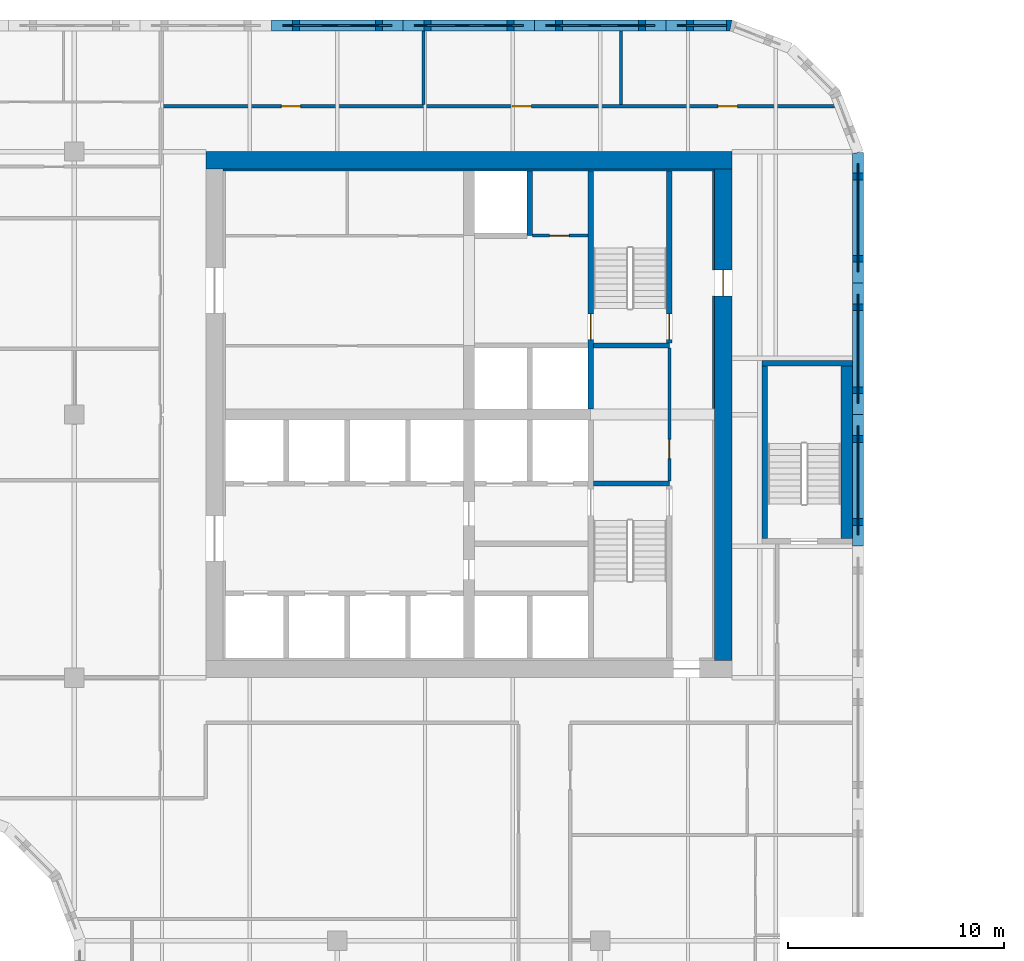
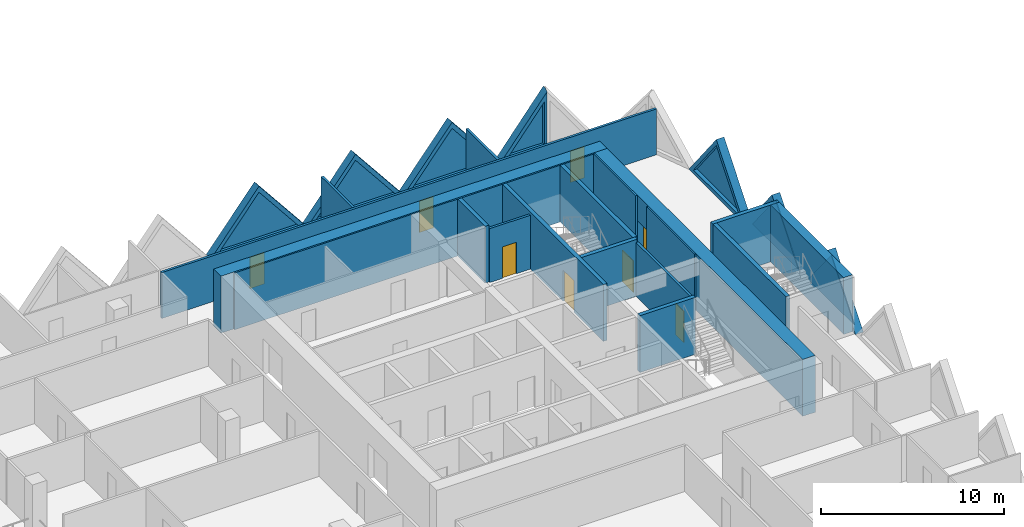
# One storey, part 10 of 19: 25 walls, 8 doors, 7 plates, 15 openings.
"""IFC4 building model written with IfcOpenShell, lengths in metres."""

from ifc_helpers import new_model, si_unit, direction, frame, frame_2d, origin, place, context, subcontext, project, spatial, polyline, rectangle, outline, extrude, faceted_brep, source, transform, mapped, material, layer, layer_set, type_object, element, fill, save


model = new_model("IFC4")

# Units and contexts
model_context = context("Model", 3, precision=1e-05, world=origin(), true_north=direction((0.0, 1.0)))
body_context = subcontext(model_context, "Body", "Model", "MODEL_VIEW")
ifc_project = project(units=[si_unit("LENGTHUNIT", "METRE"), si_unit("AREAUNIT", "SQUARE_METRE"), si_unit("VOLUMEUNIT", "CUBIC_METRE"), si_unit("PLANEANGLEUNIT", "RADIAN"), si_unit("MASSUNIT", "GRAM", prefix="KILO")], contexts=[model_context])

# Site, building, storey
site_placement = place(None, origin())
site = spatial("IfcSite", under=ifc_project, at=site_placement, CompositionType="ELEMENT")
building_placement = place(site_placement, origin())
building = spatial("IfcBuilding", under=site, at=building_placement, Name="Tessera Gate Towers", CompositionType="ELEMENT")
storey_placement = place(building_placement, frame((0.0, 0.0, 68.60009765625)))
storey = spatial("IfcBuildingStorey", under=building, at=storey_placement, Name="L16", CompositionType="ELEMENT", Elevation=68.60009765625)

# Wall, opening, door
ifc_material_1 = material(Name="Concrete C40/50", Category="concrete")
ifc_layer_1 = layer(ifc_material_1, 0.25)
ifc_layer_set_1 = layer_set([ifc_layer_1], Name="CORE ENCLOSURE WALL 250")
wall_type_1 = type_object("IfcWallType", Name="CORE ENCLOSURE WALL 250", PredefinedType="SOLIDWALL", material=ifc_layer_set_1)
wall_1_placement = place(storey_placement, frame((48.35009765625, 47.89990234375, 0.0), z_axis=(0.0, 0.0, 1.0), x_axis=(0.0, -1.0, 0.0)))
wall_1 = element("IfcWall", 1, at=wall_1_placement, inside=storey, type_object=wall_type_1, Name="L16 shaft and stair enclosure wall", PredefinedType="SOLIDWALL", context=body_context, shape_type="SweptSolid", body=[
    extrude(rectangle(XDim=11.0498046875, YDim=0.25, at=frame_2d((5.52490234375, 0.0))), origin(), (0.0, 0.0, 1.0), 3.7998046875),
])
shared_shape_1 = source(origin(), body_context, "Body", "SweptSolid", [
    extrude(rectangle(XDim=1.199951171875, YDim=2.10009765625, at=frame_2d((0.60009765625, 1.050048828125))), frame((0.0, 0.135009765625, 0.0), z_axis=(0.0, -1.0, 0.0), x_axis=(1.0, 0.0, 0.0)), (0.0, 0.0, 1.0), 0.27001953125),
])
opening_1_placement = place(wall_1_placement, frame((6.625, 0.0, 0.0)))
opening_1 = element("IfcOpeningElement", 2, at=opening_1_placement, cuts=wall_1, Name="Opening SD-ST2-1", PredefinedType="OPENING", context=body_context, shape_type="MappedRepresentation", body=[
    mapped(shared_shape_1, transform((0.0, 0.0, 0.0), scale=1.0)),
])
ifc_material_2 = material(Name="Hollow steel fire door", Category="steel")
door_type_1 = type_object("IfcDoorType", Name="CORE DOOR SD 1200x2100", OperationType="NOTDEFINED", PredefinedType="DOOR", material=ifc_material_2)
shared_shape_2 = source(origin(), body_context, "Body", "SweptSolid", [
    extrude(rectangle(XDim=1.199951171875, YDim=2.10009765625, at=frame_2d((0.60009765625, 1.050048828125))), frame((0.0, 0.02490234375, 0.0), z_axis=(0.0, -1.0, 0.0), x_axis=(1.0, 0.0, 0.0)), (0.0, 0.0, 1.0), 0.050048828125),
])
door_1_placement = place(opening_1_placement, origin())
door_1 = element("IfcDoor", 3, at=door_1_placement, inside=storey, type_object=door_type_1, Name="Stair door", OperationType="SINGLE_SWING_RIGHT", OverallHeight=2.10009765625, OverallWidth=1.199951171875, PredefinedType="DOOR", context=body_context, shape_type="MappedRepresentation", body=[
    mapped(shared_shape_2, transform((0.0, 0.0, 0.0), scale=1.0)),
])
fill(opening_1, door_1)

# Walls
for number, where, z_axis, x_axis, name in (
    (4, (48.47509765625, 33.39990234375, 0.0), (0.0, 0.0, 1.0), (1.0, 0.0, 0.0), "L16 shaft and stair enclosure wall"),
    (5, (48.47509765625, 39.800048828125, 0.0), (0.0, 0.0, 1.0), (1.0, 0.0, 0.0), "L16 shaft and stair enclosure wall"),
):
    element("IfcWall", number, at=place(storey_placement, frame(where, z_axis=z_axis, x_axis=x_axis)), inside=storey, type_object=wall_type_1, Name=name, PredefinedType="SOLIDWALL", context=body_context, shape_type="SweptSolid", body=[
        extrude(rectangle(XDim=3.52490234375, YDim=0.25, at=frame_2d((1.762451171875, 0.0))), origin(), (0.0, 0.0, 1.0), 3.7998046875),
    ])

# Wall, opening, door
wall_2_placement = place(storey_placement, frame((52.0, 39.925048828125, 0.0), z_axis=(0.0, 0.0, 1.0), x_axis=(0.0, 1.0, 0.0)))
wall_2 = element("IfcWall", 6, at=wall_2_placement, inside=storey, type_object=wall_type_1, Name="L16 shaft and stair enclosure wall", PredefinedType="SOLIDWALL", context=body_context, shape_type="SweptSolid", body=[
    extrude(rectangle(XDim=7.974853515625, YDim=0.25, at=frame_2d((3.9873046875, 0.0))), origin(), (0.0, 0.0, 1.0), 3.7998046875),
])
opening_2_placement = place(wall_2_placement, frame((0.14990234375, 0.0, 0.0)))
opening_2 = element("IfcOpeningElement", 7, at=opening_2_placement, cuts=wall_2, Name="Opening SD-ST2-2", PredefinedType="OPENING", context=body_context, shape_type="MappedRepresentation", body=[
    mapped(shared_shape_1, transform((0.0, 0.0, 0.0), scale=1.0)),
])
door_2_placement = place(opening_2_placement, origin())
door_2 = element("IfcDoor", 8, at=door_2_placement, inside=storey, type_object=door_type_1, Name="Stair door", OperationType="SINGLE_SWING_LEFT", OverallHeight=2.10009765625, OverallWidth=1.199951171875, PredefinedType="DOOR", context=body_context, shape_type="MappedRepresentation", body=[
    mapped(shared_shape_2, transform((0.0, 0.0, 0.0), scale=1.0)),
])
fill(opening_2, door_2)

# Walls
wall_3_placement = place(storey_placement, frame((45.52490234375, 44.89990234375, 0.0), z_axis=(0.0, 0.0, 1.0), x_axis=(0.0, 1.0, 0.0)))
element("IfcWall", 9, at=wall_3_placement, inside=storey, type_object=wall_type_1, Name="L16 shaft and stair enclosure wall", PredefinedType="SOLIDWALL", context=body_context, shape_type="SweptSolid", body=[
    extrude(rectangle(XDim=3.0, YDim=0.25, at=frame_2d((1.5, 0.0))), origin(), (0.0, 0.0, 1.0), 3.7998046875),
])
wall_4_placement = place(storey_placement, frame((56.425048828125, 30.85009765625, 0.0), z_axis=(0.0, 0.0, 1.0), x_axis=(0.0, 1.0, 0.0)))
element("IfcWall", 10, at=wall_4_placement, inside=storey, type_object=wall_type_1, Name="L16 ST5 enclosure wall", PredefinedType="SOLIDWALL", context=body_context, shape_type="SweptSolid", body=[
    extrude(rectangle(XDim=8.0, YDim=0.25, at=frame_2d((4.0, 0.0))), origin(), (0.0, 0.0, 1.0), 3.7998046875),
])
wall_5_placement = place(storey_placement, frame((56.300048828125, 38.97509765625, 0.0), z_axis=(0.0, 0.0, 1.0), x_axis=(1.0, 0.0, 0.0)))
element("IfcWall", 11, at=wall_5_placement, inside=storey, type_object=wall_type_1, Name="L16 ST5 enclosure wall", PredefinedType="SOLIDWALL", context=body_context, shape_type="SweptSolid", body=[
    extrude(rectangle(XDim=4.199951171875, YDim=0.25, at=frame_2d((2.10009765625, 0.0))), origin(), (0.0, 0.0, 1.0), 3.7998046875),
])
ifc_material_3 = material(Name="Concrete C40/50", Category="concrete")
ifc_layer_2 = layer(ifc_material_3, 0.550048828125)
ifc_layer_set_2 = layer_set([ifc_layer_2], Name="CORE ENCLOSURE WALL 550")
wall_type_2 = type_object("IfcWallType", Name="CORE ENCLOSURE WALL 550", PredefinedType="SOLIDWALL", material=ifc_layer_set_2)
wall_6_placement = place(storey_placement, frame((60.22509765625, 38.85009765625, 0.0), z_axis=(0.0, 0.0, 1.0), x_axis=(0.0, -1.0, 0.0)))
element("IfcWall", 12, at=wall_6_placement, inside=storey, type_object=wall_type_2, Name="L16 ST5 enclosure wall", PredefinedType="SOLIDWALL", context=body_context, shape_type="SweptSolid", body=[
    extrude(rectangle(XDim=8.0, YDim=0.550048828125, at=frame_2d((4.0, 0.0))), origin(), (0.0, 0.0, 1.0), 3.7998046875),
])
ifc_material_4 = material(Name="Concrete C60/75", Category="concrete")
ifc_layer_3 = layer(ifc_material_4, 0.800048828125)
ifc_layer_set_3 = layer_set([ifc_layer_3], Name="CORE SHEAR WALL 800 C60/75")
wall_type_3 = type_object("IfcWallType", Name="CORE SHEAR WALL 800 C60/75", PredefinedType="SHEAR", material=ifc_layer_set_3)
wall_7_placement = place(storey_placement, frame((30.5, 48.39990234375, 0.0), z_axis=(0.0, 0.0, 1.0), x_axis=(1.0, 0.0, 0.0)))
element("IfcWall", 13, at=wall_7_placement, inside=storey, type_object=wall_type_3, Name="Core wall N L16", PredefinedType="SHEAR", context=body_context, shape_type="SweptSolid", body=[
    extrude(rectangle(XDim=24.39990234375, YDim=0.800048828125, at=frame_2d((12.199951171875, 0.0))), origin(), (0.0, 0.0, 1.0), 3.7998046875),
])

# Wall, opening, door
wall_8_placement = place(storey_placement, frame((54.5, 48.0, 0.0), z_axis=(0.0, 0.0, 1.0), x_axis=(0.0, -1.0, 0.0)))
wall_8 = element("IfcWall", 14, at=wall_8_placement, inside=storey, type_object=wall_type_3, Name="Core wall E L16", PredefinedType="SHEAR", context=body_context, shape_type="SweptSolid", body=[
    extrude(rectangle(XDim=22.800048828125, YDim=0.800048828125, at=frame_2d((11.39990234375, 0.0))), origin(), (0.0, 0.0, 1.0), 3.7998046875),
])
shared_shape_3 = source(origin(), body_context, "Body", "SweptSolid", [
    extrude(rectangle(XDim=1.199951171875, YDim=2.10009765625, at=frame_2d((0.60009765625, 1.050048828125))), frame((0.0, 0.409912109375, 0.0), z_axis=(0.0, -1.0, 0.0), x_axis=(1.0, 0.0, 0.0)), (0.0, 0.0, 1.0), 0.820068359375),
])
opening_3_placement = place(wall_8_placement, frame((4.699951171875, 0.0, 0.0)))
opening_3 = element("IfcOpeningElement", 15, at=opening_3_placement, cuts=wall_8, Name="Opening ED-T1-12-04", PredefinedType="OPENING", context=body_context, shape_type="MappedRepresentation", body=[
    mapped(shared_shape_3, transform((0.0, 0.0, 0.0), scale=1.0)),
])
ifc_material_5 = material(Name="Hollow steel fire door", Category="steel")
door_type_2 = type_object("IfcDoorType", Name="CORE DOOR ED 1200x2100", OperationType="NOTDEFINED", PredefinedType="DOOR", material=ifc_material_5)
door_3_placement = place(opening_3_placement, origin())
door_3 = element("IfcDoor", 16, at=door_3_placement, inside=storey, type_object=door_type_2, Name="Core exit door", OperationType="SINGLE_SWING_LEFT", OverallHeight=2.10009765625, OverallWidth=1.199951171875, PredefinedType="DOOR", context=body_context, shape_type="MappedRepresentation", body=[
    mapped(shared_shape_2, transform((0.0, 0.0, 0.0), scale=1.0)),
])
fill(opening_3, door_3)

# Walls
ifc_material_6 = material(Name="Concrete C60/75", Category="concrete")
ifc_layer_4 = layer(ifc_material_6, 0.10009765625)
ifc_layer_set_4 = layer_set([ifc_layer_4], Name="CORE WALL THICKENING 100")
wall_type_4 = type_object("IfcWallType", Name="CORE WALL THICKENING 100", PredefinedType="SOLIDWALL", material=ifc_layer_set_4)
wall_9_placement = place(storey_placement, frame((31.300048828125, 47.949951171875, 0.0), z_axis=(0.0, 0.0, 1.0), x_axis=(1.0, 0.0, 0.0)))
element("IfcWall", 17, at=wall_9_placement, inside=storey, type_object=wall_type_4, Name="Core wall thickening N L16", PredefinedType="SOLIDWALL", context=body_context, shape_type="SweptSolid", body=[
    extrude(rectangle(XDim=22.800048828125, YDim=0.10009765625, at=frame_2d((11.39990234375, 0.0))), origin(), (0.0, 0.0, 1.0), 3.7998046875),
])
wall_10_placement = place(storey_placement, frame((54.050048828125, 36.8798828125, 0.0), z_axis=(0.0, 0.0, 1.0), x_axis=(0.0, 1.0, 0.0)))
element("IfcWall", 18, at=wall_10_placement, inside=storey, type_object=wall_type_4, Name="Core wall thickening E L16", PredefinedType="SOLIDWALL", context=body_context, shape_type="SweptSolid", body=[
    extrude(rectangle(XDim=5.22021484375, YDim=0.10009765625, at=frame_2d((2.610107421875, 0.0))), origin(), (0.0, 0.0, 1.0), 3.7998046875),
])
wall_11_placement = place(storey_placement, frame((54.050048828125, 43.300048828125, 0.0), z_axis=(0.0, 0.0, 1.0), x_axis=(0.0, 1.0, 0.0)))
element("IfcWall", 19, at=wall_11_placement, inside=storey, type_object=wall_type_4, Name="Core wall thickening E L16", PredefinedType="SOLIDWALL", context=body_context, shape_type="SweptSolid", body=[
    extrude(rectangle(XDim=4.599853515625, YDim=0.10009765625, at=frame_2d((2.2998046875, 0.0))), origin(), (0.0, 0.0, 1.0), 3.7998046875),
])

# Wall, openings, doors
ifc_material_7 = material(Name="Gypsum board on steel studs, mineral wool", Category="steel")
ifc_layer_5 = layer(ifc_material_7, 0.14990234375)
ifc_layer_set_5 = layer_set([ifc_layer_5], Name="CORRIDOR WALL 150")
wall_type_5 = type_object("IfcWallType", Name="CORRIDOR WALL 150", PredefinedType="PARTITIONING", material=ifc_layer_set_5)
wall_12_placement = place(storey_placement, frame((28.39990234375, 50.89990234375, 0.0), z_axis=(0.0, 0.0, 1.0), x_axis=(1.0, 0.0, 0.0)))
wall_12 = element("IfcWall", 20, at=wall_12_placement, inside=storey, type_object=wall_type_5, Name="T1-L16-PW-046", PredefinedType="PARTITIONING", context=body_context, shape_type="SweptSolid", body=[
    extrude(rectangle(XDim=31.254150390625, YDim=0.14990234375, at=frame_2d((15.626953125, 0.0))), origin(), (0.0, 0.0, 1.0), 3.06689453125),
])
shared_shape_4 = source(origin(), body_context, "Body", "SweptSolid", [
    extrude(rectangle(XDim=0.89990234375, YDim=2.10009765625, at=frame_2d((0.449951171875, 1.050048828125))), frame((0.0, 0.0849609375, 0.0), z_axis=(0.0, -1.0, 0.0), x_axis=(1.0, 0.0, 0.0)), (0.0, 0.0, 1.0), 0.169921875),
])
opening_4_placement = place(wall_12_placement, frame((16.301025390625, 0.0, 0.0)))
opening_4 = element("IfcOpeningElement", 21, at=opening_4_placement, cuts=wall_12, Name="Opening D890FD60-A06-08", PredefinedType="OPENING", context=body_context, shape_type="MappedRepresentation", body=[
    mapped(shared_shape_4, transform((0.0, 0.0, 0.0), scale=1.0)),
])
opening_5_placement = place(wall_12_placement, frame((25.85009765625, 0.0, 0.0)))
opening_5 = element("IfcOpeningElement", 22, at=opening_5_placement, cuts=wall_12, Name="Opening D890FD60-A06-10", PredefinedType="OPENING", context=body_context, shape_type="MappedRepresentation", body=[
    mapped(shared_shape_4, transform((0.0, 0.0, 0.0), scale=1.0)),
])
opening_6_placement = place(wall_12_placement, frame((5.60009765625, 0.0, 0.0)))
opening_6 = element("IfcOpeningElement", 23, at=opening_6_placement, cuts=wall_12, Name="Opening D890FD60-A06-11", PredefinedType="OPENING", context=body_context, shape_type="MappedRepresentation", body=[
    mapped(shared_shape_4, transform((0.0, 0.0, 0.0), scale=1.0)),
])
ifc_material_8 = material(Name="Timber door leaf in steel frame", Category="steel")
door_type_3 = type_object("IfcDoorType", Name="CORRIDOR DOOR 900 FD60", OperationType="NOTDEFINED", PredefinedType="DOOR", material=ifc_material_8)
shared_shape_5 = source(origin(), body_context, "Body", "SweptSolid", [
    extrude(rectangle(XDim=0.89990234375, YDim=2.10009765625, at=frame_2d((0.449951171875, 1.050048828125))), frame((0.0, 0.02490234375, 0.0), z_axis=(0.0, -1.0, 0.0), x_axis=(1.0, 0.0, 0.0)), (0.0, 0.0, 1.0), 0.050048828125),
])
door_4_placement = place(opening_4_placement, origin())
door_4 = element("IfcDoor", 24, at=door_4_placement, inside=storey, type_object=door_type_3, Name="T1-L16-PD-023", OperationType="SINGLE_SWING_LEFT", OverallHeight=2.10009765625, OverallWidth=0.89990234375, PredefinedType="DOOR", context=body_context, shape_type="MappedRepresentation", body=[
    mapped(shared_shape_5, transform((0.0, 0.0, 0.0), scale=1.0)),
])
fill(opening_4, door_4)
door_5_placement = place(opening_5_placement, origin())
door_5 = element("IfcDoor", 25, at=door_5_placement, inside=storey, type_object=door_type_3, Name="T1-L16-PD-025", OperationType="SINGLE_SWING_LEFT", OverallHeight=2.10009765625, OverallWidth=0.89990234375, PredefinedType="DOOR", context=body_context, shape_type="MappedRepresentation", body=[
    mapped(shared_shape_5, transform((0.0, 0.0, 0.0), scale=1.0)),
])
fill(opening_5, door_5)
door_6_placement = place(opening_6_placement, origin())
door_6 = element("IfcDoor", 26, at=door_6_placement, inside=storey, type_object=door_type_3, Name="T1-L16-PD-027", OperationType="SINGLE_SWING_LEFT", OverallHeight=2.10009765625, OverallWidth=0.89990234375, PredefinedType="DOOR", context=body_context, shape_type="MappedRepresentation", body=[
    mapped(shared_shape_5, transform((0.0, 0.0, 0.0), scale=1.0)),
])
fill(opening_6, door_6)

# Wall, opening, door
ifc_material_9 = material(Name="Gypsum board on steel studs", Category="steel")
ifc_layer_6 = layer(ifc_material_9, 0.14990234375)
ifc_layer_set_6 = layer_set([ifc_layer_6], Name="SERVICE ROOM WALL 150")
wall_type_6 = type_object("IfcWallType", Name="SERVICE ROOM WALL 150", PredefinedType="PARTITIONING", material=ifc_layer_set_6)
wall_13_placement = place(storey_placement, frame((52.0, 33.52490234375, 0.0), z_axis=(0.0, 0.0, 1.0), x_axis=(0.0, 1.0, 0.0)))
wall_13 = element("IfcWall", 27, at=wall_13_placement, inside=storey, type_object=wall_type_6, Name="L16 service room wall", PredefinedType="PARTITIONING", context=body_context, shape_type="SweptSolid", body=[
    extrude(rectangle(XDim=6.150146484375, YDim=0.14990234375, at=frame_2d((3.0751953125, 0.0))), origin(), (0.0, 0.0, 1.0), 3.599853515625),
])
opening_7_placement = place(wall_13_placement, frame((1.02490234375, 0.0, 0.0)))
opening_7 = element("IfcOpeningElement", 28, at=opening_7_placement, cuts=wall_13, Name="Opening RD-T1-12-10", PredefinedType="OPENING", context=body_context, shape_type="MappedRepresentation", body=[
    mapped(shared_shape_4, transform((0.0, 0.0, 0.0), scale=1.0)),
])
ifc_material_10 = material(Name="Hollow steel fire door", Category="steel")
door_type_4 = type_object("IfcDoorType", Name="CORE DOOR RD 900x2100", OperationType="NOTDEFINED", PredefinedType="DOOR", material=ifc_material_10)
door_7_placement = place(opening_7_placement, origin())
door_7 = element("IfcDoor", 29, at=door_7_placement, inside=storey, type_object=door_type_4, Name="Core room door", OperationType="SINGLE_SWING_LEFT", OverallHeight=2.10009765625, OverallWidth=0.89990234375, PredefinedType="DOOR", context=body_context, shape_type="MappedRepresentation", body=[
    mapped(shared_shape_5, transform((0.0, 0.0, 0.0), scale=1.0)),
])
fill(opening_7, door_7)

wall_14_placement = place(storey_placement, frame((45.64990234375, 44.89990234375, 0.0), z_axis=(0.0, 0.0, 1.0), x_axis=(1.0, 0.0, 0.0)))
wall_14 = element("IfcWall", 30, at=wall_14_placement, inside=storey, type_object=wall_type_6, Name="L16 service room wall", PredefinedType="PARTITIONING", context=body_context, shape_type="SweptSolid", body=[
    extrude(rectangle(XDim=2.5751953125, YDim=0.14990234375, at=frame_2d((1.28759765625, 0.0))), origin(), (0.0, 0.0, 1.0), 3.599853515625),
])
opening_8_placement = place(wall_14_placement, frame((0.800048828125, 0.0, 0.0)))
opening_8 = element("IfcOpeningElement", 31, at=opening_8_placement, cuts=wall_14, Name="Opening RD-T1-12-11", PredefinedType="OPENING", context=body_context, shape_type="MappedRepresentation", body=[
    mapped(shared_shape_4, transform((0.0, 0.0, 0.0), scale=1.0)),
])
door_8_placement = place(opening_8_placement, origin())
door_8 = element("IfcDoor", 32, at=door_8_placement, inside=storey, type_object=door_type_4, Name="Core room door", OperationType="SINGLE_SWING_LEFT", OverallHeight=2.10009765625, OverallWidth=0.89990234375, PredefinedType="DOOR", context=body_context, shape_type="MappedRepresentation", body=[
    mapped(shared_shape_5, transform((0.0, 0.0, 0.0), scale=1.0)),
])
fill(opening_8, door_8)

# Walls
ifc_material_11 = material(Name="Gypsum board on steel studs, mineral wool", Category="steel")
ifc_layer_7 = layer(ifc_material_11, 0.14990234375)
ifc_layer_set_7 = layer_set([ifc_layer_7], Name="TENANCY WALL 150")
wall_type_7 = type_object("IfcWallType", Name="TENANCY WALL 150", PredefinedType="PARTITIONING", material=ifc_layer_set_7)
for number, where, z_axis, x_axis, name in (
    (33, (40.60009765625, 50.97607421875, 0.0), (0.0, 0.0, 1.0), (0.0, 1.0, 0.0), "T1-L16-PW-047"),
    (34, (49.75, 50.97607421875, 0.0), (0.0, 0.0, 1.0), (0.0, 1.0, 0.0), "T1-L16-PW-048"),
):
    element("IfcWall", number, at=place(storey_placement, frame(where, z_axis=z_axis, x_axis=x_axis)), inside=storey, type_object=wall_type_7, Name=name, PredefinedType="PARTITIONING", context=body_context, shape_type="SweptSolid", body=[
        extrude(rectangle(XDim=3.423828125, YDim=0.14990234375, at=frame_2d((1.7119140625, 0.0))), origin(), (0.0, 0.0, 1.0), 3.06689453125),
    ])

# Wall, opening, plate
ifc_material_12 = material(Name="Precast concrete C60/75 white", Category="concrete")
ifc_layer_8 = layer(ifc_material_12, 0.5)
ifc_layer_set_8 = layer_set([ifc_layer_8], Name="TS3 corner tessera")
wall_type_8 = type_object("IfcWallType", Name="TS3 corner tessera", PredefinedType="SOLIDWALL", material=ifc_layer_set_8)
shared_shape_6 = source(origin(), body_context, "Body", "Brep", [
    faceted_brep([(3.050048828125, -0.25, 0.0), (0.046630859375, -0.25, 3.7998046875), (0.0, -0.25, 3.73974609375), (0.0, -0.25, 0.0), (0.09326171875, 0.25, 3.740966796875), (3.050048828125, 0.25, 0.0), (0.09326171875, 0.25, 0.0), (0.046630859375, 0.0, 3.7998046875)], [[[0, 1, 2, 3]], [[4, 5, 6]], [[5, 4, 7, 1, 0]], [[2, 1, 7]], [[6, 5, 0, 3]], [[6, 3, 2, 7, 4]]]),
])
wall_15_placement = place(storey_placement, frame((54.900146484375, 54.64990234375, 0.0), z_axis=(0.0, 0.0, 1.0), x_axis=(-1.0, 0.0, 0.0)))
wall_15 = element("IfcWall", 35, at=wall_15_placement, inside=storey, type_object=wall_type_8, Name="Precast corner tessera T1 TS3-0346", PredefinedType="SOLIDWALL", context=body_context, shape_type="MappedRepresentation", body=[
    mapped(shared_shape_6, transform((0.0, 0.0, 0.0), scale=1.0)),
])
shared_shape_7 = source(origin(), body_context, "Body", "SweptSolid", [
    extrude(outline(polyline([(2.533935546875, 0.25), (0.24658203125, 3.143798828125), (0.24658203125, 0.25), (2.533935546875, 0.25)])), frame((0.0, 0.260009765625, 0.0), z_axis=(0.0, -1.0, 0.0), x_axis=(1.0, 0.0, 0.0)), (0.0, 0.0, 1.0), 0.52001953125),
])
opening_9_placement = place(wall_15_placement, origin())
opening_9 = element("IfcOpeningElement", 36, at=opening_9_placement, cuts=wall_15, Name="Opening T1-PL1-0207", PredefinedType="OPENING", context=body_context, shape_type="MappedRepresentation", body=[
    mapped(shared_shape_7, transform((0.0, 0.0, 0.0), scale=1.0)),
])
ifc_material_13 = material(Name="Low-e laminated glass", Category="glass")
ifc_layer_9 = layer(ifc_material_13, 0.06005859375)
ifc_layer_set_9 = layer_set([ifc_layer_9], Name="PL1 triangular pane")
plate_type = type_object("IfcPlateType", Name="PL1 triangular pane", PredefinedType="SHEET", material=ifc_layer_set_9)
shared_shape_8 = source(origin(), body_context, "Body", "SweptSolid", [
    extrude(outline(polyline([(2.533935546875, 0.25), (0.24658203125, 3.143798828125), (0.24658203125, 0.25), (2.533935546875, 0.25)])), frame((0.0, 0.030029296875, 0.0), z_axis=(0.0, -1.0, 0.0), x_axis=(1.0, 0.0, 0.0)), (0.0, 0.0, 1.0), 0.06005859375),
])
plate_1_placement = place(opening_9_placement, origin())
plate_1 = element("IfcPlate", 37, at=plate_1_placement, inside=storey, type_object=plate_type, Name="Glass pane T1 PL1-0207", PredefinedType="SHEET", context=body_context, shape_type="MappedRepresentation", body=[
    mapped(shared_shape_8, transform((0.0, 0.0, 0.0), scale=1.0)),
])
fill(opening_9, plate_1)

ifc_material_14 = material(Name="Precast concrete C60/75 white", Category="concrete")
ifc_layer_10 = layer(ifc_material_14, 0.5)
ifc_layer_set_10 = layer_set([ifc_layer_10], Name="TS2 half tessera")
wall_type_9 = type_object("IfcWallType", Name="TS2 half tessera", PredefinedType="SOLIDWALL", material=ifc_layer_set_10)
shared_shape_9 = source(origin(), body_context, "Body", "Brep", [
    faceted_brep([(6.099853515625, -0.25, 0.000244140625), (3.050048828125, -0.25, 3.7998046875), (0.0, -0.25, 0.0), (6.099853515625, -0.25, 0.0), (0.0, 0.25, 0.0), (3.050048828125, 0.25, 3.7998046875), (6.099853515625, 0.25, 0.000244140625), (6.099853515625, 0.25, 0.0)], [[[0, 1, 2, 3]], [[4, 5, 6, 7]], [[6, 5, 1, 0]], [[5, 4, 2, 1]], [[4, 7, 3, 2]], [[3, 7, 6, 0]]]),
])
wall_16_placement = place(storey_placement, frame((60.75, 36.60009765625, 0.0), z_axis=(0.0, 0.0, 1.0), x_axis=(0.0, 1.0, 0.0)))
wall_16 = element("IfcWall", 38, at=wall_16_placement, inside=storey, type_object=wall_type_9, Name="Precast half tessera T1 TS2-0100", PredefinedType="SOLIDWALL", context=body_context, shape_type="MappedRepresentation", body=[
    mapped(shared_shape_9, transform((0.0, 0.0, 0.0), scale=1.0)),
])
shared_shape_10 = source(origin(), body_context, "Body", "SweptSolid", [
    extrude(outline(polyline([(5.578857421875, 0.25), (3.050048828125, 3.400390625), (0.521240234375, 0.25), (5.578857421875, 0.25)])), frame((0.0, 0.260009765625, 0.0), z_axis=(0.0, -1.0, 0.0), x_axis=(1.0, 0.0, 0.0)), (0.0, 0.0, 1.0), 0.52001953125),
])
opening_10_placement = place(wall_16_placement, origin())
opening_10 = element("IfcOpeningElement", 39, at=opening_10_placement, cuts=wall_16, Name="Opening T1-PL1-0202", PredefinedType="OPENING", context=body_context, shape_type="MappedRepresentation", body=[
    mapped(shared_shape_10, transform((0.0, 0.0, 0.0), scale=1.0)),
])
shared_shape_11 = source(origin(), body_context, "Body", "SweptSolid", [
    extrude(outline(polyline([(5.578857421875, 0.25), (3.050048828125, 3.400390625), (0.521240234375, 0.25), (5.578857421875, 0.25)])), frame((0.0, 0.030029296875, 0.0), z_axis=(0.0, -1.0, 0.0), x_axis=(1.0, 0.0, 0.0)), (0.0, 0.0, 1.0), 0.06005859375),
])
plate_2_placement = place(opening_10_placement, origin())
plate_2 = element("IfcPlate", 40, at=plate_2_placement, inside=storey, type_object=plate_type, Name="Glass pane T1 PL1-0202", PredefinedType="SHEET", context=body_context, shape_type="MappedRepresentation", body=[
    mapped(shared_shape_11, transform((0.0, 0.0, 0.0), scale=1.0)),
])
fill(opening_10, plate_2)

wall_17_placement = place(storey_placement, frame((39.64990234375, 54.64990234375, 0.0), z_axis=(0.0, 0.0, 1.0), x_axis=(-1.0, 0.0, 0.0)))
wall_17 = element("IfcWall", 41, at=wall_17_placement, inside=storey, type_object=wall_type_9, Name="Precast half tessera T1 TS2-0104", PredefinedType="SOLIDWALL", context=body_context, shape_type="MappedRepresentation", body=[
    mapped(shared_shape_9, transform((0.0, 0.0, 0.0), scale=1.0)),
])
opening_11_placement = place(wall_17_placement, origin())
opening_11 = element("IfcOpeningElement", 42, at=opening_11_placement, cuts=wall_17, Name="Opening T1-PL1-0210", PredefinedType="OPENING", context=body_context, shape_type="MappedRepresentation", body=[
    mapped(shared_shape_10, transform((0.0, 0.0, 0.0), scale=1.0)),
])
plate_3_placement = place(opening_11_placement, origin())
plate_3 = element("IfcPlate", 43, at=plate_3_placement, inside=storey, type_object=plate_type, Name="Glass pane T1 PL1-0210", PredefinedType="SHEET", context=body_context, shape_type="MappedRepresentation", body=[
    mapped(shared_shape_11, transform((0.0, 0.0, 0.0), scale=1.0)),
])
fill(opening_11, plate_3)

shared_shape_12 = source(origin(), body_context, "Body", "SweptSolid", [
    extrude(outline(polyline([(6.10009765625, 0.0), (3.050048828125, 3.7998046875), (0.0, 0.0), (6.10009765625, 0.0)])), frame((0.0, 0.25, 0.0), z_axis=(0.0, -1.0, 0.0), x_axis=(1.0, 0.0, 0.0)), (0.0, 0.0, 1.0), 0.5),
])
wall_18_placement = place(storey_placement, frame((60.75, 30.5, 0.0), z_axis=(0.0, 0.0, 1.0), x_axis=(0.0, 1.0, 0.0)))
wall_18 = element("IfcWall", 44, at=wall_18_placement, inside=storey, type_object=wall_type_9, Name="Precast half tessera T1 TS2-0099", PredefinedType="SOLIDWALL", context=body_context, shape_type="MappedRepresentation", body=[
    mapped(shared_shape_12, transform((0.0, 0.0, 0.0), scale=1.0)),
])
opening_12_placement = place(wall_18_placement, origin())
opening_12 = element("IfcOpeningElement", 45, at=opening_12_placement, cuts=wall_18, Name="Opening T1-PL1-0201", PredefinedType="OPENING", context=body_context, shape_type="MappedRepresentation", body=[
    mapped(shared_shape_10, transform((0.0, 0.0, 0.0), scale=1.0)),
])
plate_4_placement = place(opening_12_placement, origin())
plate_4 = element("IfcPlate", 46, at=plate_4_placement, inside=storey, type_object=plate_type, Name="Glass pane T1 PL1-0201", PredefinedType="SHEET", context=body_context, shape_type="MappedRepresentation", body=[
    mapped(shared_shape_11, transform((0.0, 0.0, 0.0), scale=1.0)),
])
fill(opening_12, plate_4)

wall_19_placement = place(storey_placement, frame((51.85009765625, 54.64990234375, 0.0), z_axis=(0.0, 0.0, 1.0), x_axis=(-1.0, 0.0, 0.0)))
wall_19 = element("IfcWall", 47, at=wall_19_placement, inside=storey, type_object=wall_type_9, Name="Precast half tessera T1 TS2-0102", PredefinedType="SOLIDWALL", context=body_context, shape_type="MappedRepresentation", body=[
    mapped(shared_shape_12, transform((0.0, 0.0, 0.0), scale=1.0)),
])
opening_13_placement = place(wall_19_placement, origin())
opening_13 = element("IfcOpeningElement", 48, at=opening_13_placement, cuts=wall_19, Name="Opening T1-PL1-0208", PredefinedType="OPENING", context=body_context, shape_type="MappedRepresentation", body=[
    mapped(shared_shape_10, transform((0.0, 0.0, 0.0), scale=1.0)),
])
plate_5_placement = place(opening_13_placement, origin())
plate_5 = element("IfcPlate", 49, at=plate_5_placement, inside=storey, type_object=plate_type, Name="Glass pane T1 PL1-0208", PredefinedType="SHEET", context=body_context, shape_type="MappedRepresentation", body=[
    mapped(shared_shape_11, transform((0.0, 0.0, 0.0), scale=1.0)),
])
fill(opening_13, plate_5)

wall_20_placement = place(storey_placement, frame((45.75, 54.64990234375, 0.0), z_axis=(0.0, 0.0, 1.0), x_axis=(-1.0, 0.0, 0.0)))
wall_20 = element("IfcWall", 50, at=wall_20_placement, inside=storey, type_object=wall_type_9, Name="Precast half tessera T1 TS2-0103", PredefinedType="SOLIDWALL", context=body_context, shape_type="MappedRepresentation", body=[
    mapped(shared_shape_12, transform((0.0, 0.0, 0.0), scale=1.0)),
])
opening_14_placement = place(wall_20_placement, origin())
opening_14 = element("IfcOpeningElement", 51, at=opening_14_placement, cuts=wall_20, Name="Opening T1-PL1-0209", PredefinedType="OPENING", context=body_context, shape_type="MappedRepresentation", body=[
    mapped(shared_shape_10, transform((0.0, 0.0, 0.0), scale=1.0)),
])
plate_6_placement = place(opening_14_placement, origin())
plate_6 = element("IfcPlate", 52, at=plate_6_placement, inside=storey, type_object=plate_type, Name="Glass pane T1 PL1-0209", PredefinedType="SHEET", context=body_context, shape_type="MappedRepresentation", body=[
    mapped(shared_shape_11, transform((0.0, 0.0, 0.0), scale=1.0)),
])
fill(opening_14, plate_6)

shared_shape_13 = source(origin(), body_context, "Body", "Brep", [
    faceted_brep([(6.053466796875, -0.25, 0.0), (3.050048828125, -0.25, 3.7998046875), (0.0, -0.25, 0.0), (0.0, 0.25, 0.0), (3.050048828125, 0.25, 3.7998046875), (6.0068359375, 0.25, 0.058837890625), (6.0068359375, 0.25, 0.0), (6.053466796875, 0.0, 0.0)], [[[0, 1, 2]], [[3, 4, 5, 6]], [[5, 4, 1, 0, 7]], [[4, 3, 2, 1]], [[3, 6, 7, 0, 2]], [[7, 6, 5]]]),
])
wall_21_placement = place(storey_placement, frame((60.75, 42.699951171875, 0.0), z_axis=(0.0, 0.0, 1.0), x_axis=(0.0, 1.0, 0.0)))
wall_21 = element("IfcWall", 53, at=wall_21_placement, inside=storey, type_object=wall_type_9, Name="Precast half tessera T1 TS2-0101", PredefinedType="SOLIDWALL", context=body_context, shape_type="MappedRepresentation", body=[
    mapped(shared_shape_13, transform((0.0, 0.0, 0.0), scale=1.0)),
])
shared_shape_14 = source(origin(), body_context, "Body", "SweptSolid", [
    extrude(outline(polyline([(5.537109375, 0.25), (3.048583984375, 3.398681640625), (0.521240234375, 0.25), (5.537109375, 0.25)])), frame((0.0, 0.260009765625, 0.0), z_axis=(0.0, -1.0, 0.0), x_axis=(1.0, 0.0, 0.0)), (0.0, 0.0, 1.0), 0.52001953125),
])
opening_15_placement = place(wall_21_placement, origin())
opening_15 = element("IfcOpeningElement", 54, at=opening_15_placement, cuts=wall_21, Name="Opening T1-PL1-0203", PredefinedType="OPENING", context=body_context, shape_type="MappedRepresentation", body=[
    mapped(shared_shape_14, transform((0.0, 0.0, 0.0), scale=1.0)),
])
shared_shape_15 = source(origin(), body_context, "Body", "SweptSolid", [
    extrude(outline(polyline([(5.537109375, 0.25), (3.048583984375, 3.398681640625), (0.521240234375, 0.25), (5.537109375, 0.25)])), frame((0.0, 0.030029296875, 0.0), z_axis=(0.0, -1.0, 0.0), x_axis=(1.0, 0.0, 0.0)), (0.0, 0.0, 1.0), 0.06005859375),
])
plate_7_placement = place(opening_15_placement, origin())
plate_7 = element("IfcPlate", 55, at=plate_7_placement, inside=storey, type_object=plate_type, Name="Glass pane T1 PL1-0203", PredefinedType="SHEET", context=body_context, shape_type="MappedRepresentation", body=[
    mapped(shared_shape_15, transform((0.0, 0.0, 0.0), scale=1.0)),
])
fill(opening_15, plate_7)

save(model, "model.ifc")
